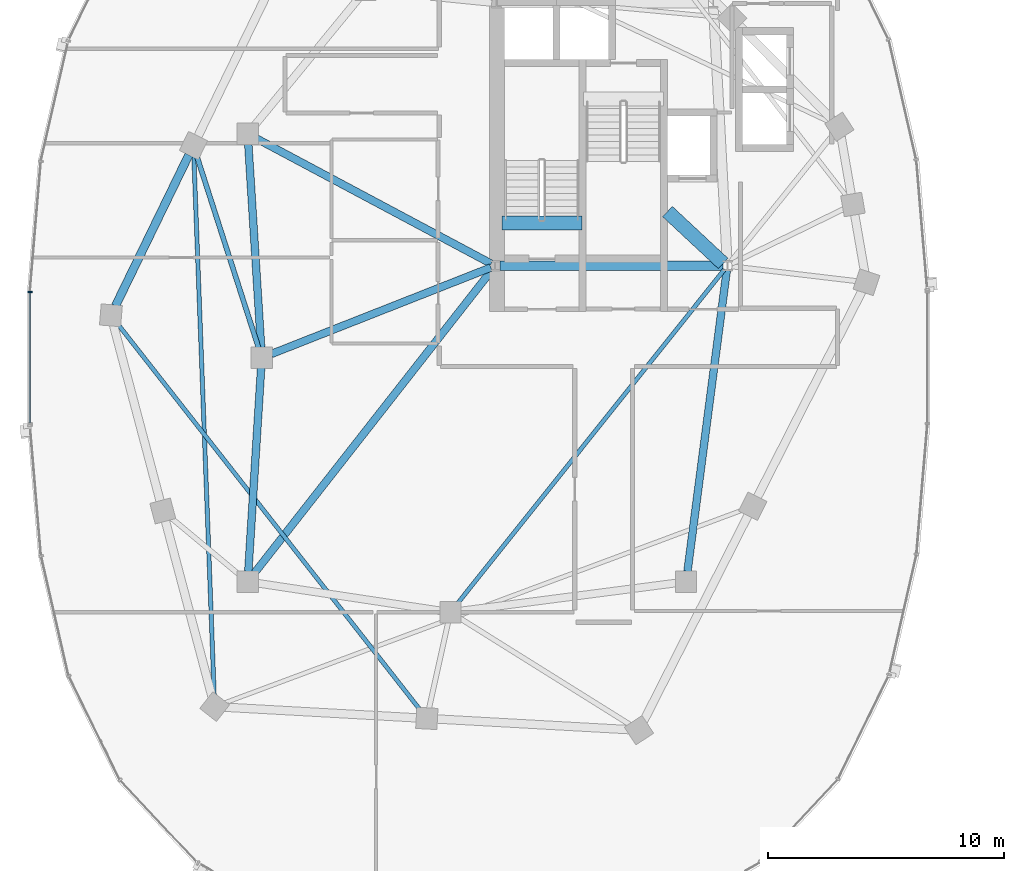
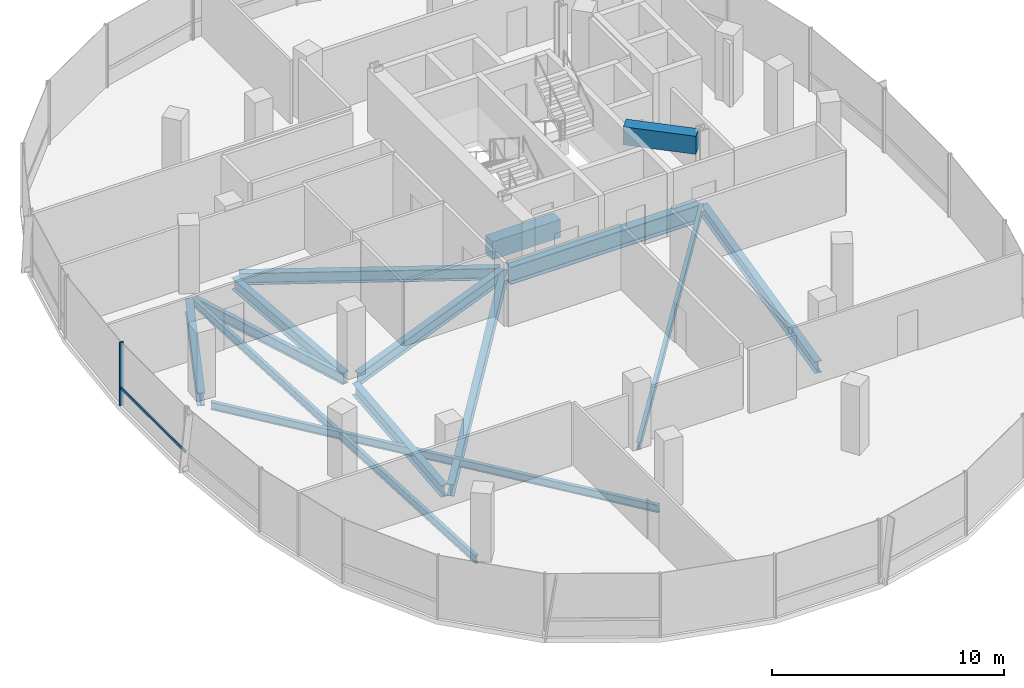
# One storey, part 4 of 25: 14 beams, 2 members, 1 element without a shape of its own.
"""IFC4 building model written with IfcOpenShell, lengths in metres."""

from ifc_helpers import new_model, si_unit, direction, frame, origin, origin_2d, place, context, subcontext, project, spatial, rectangle, i_section, extrude, material, material_profile, profile_set, type_object, element, aggregate, save


model = new_model("IFC4")

# Units and contexts
model_context = context("Model", 3, precision=1e-05, world=origin(), true_north=direction((0.0, 1.0)))
body_context = subcontext(model_context, "Body", "Model", "MODEL_VIEW")
ifc_project = project(units=[si_unit("LENGTHUNIT", "METRE"), si_unit("AREAUNIT", "SQUARE_METRE"), si_unit("VOLUMEUNIT", "CUBIC_METRE"), si_unit("PLANEANGLEUNIT", "RADIAN"), si_unit("MASSUNIT", "GRAM", prefix="KILO"), si_unit("THERMODYNAMICTEMPERATUREUNIT", "KELVIN"), si_unit("POWERUNIT", "WATT")], contexts=[model_context])

# Site, building, storey
site_placement = place(None, origin())
site = spatial("IfcSite", under=ifc_project, at=site_placement, CompositionType="ELEMENT")
building_placement = place(site_placement, origin())
building = spatial("IfcBuilding", under=site, at=building_placement, Name="Cundina Bronze Exchange", CompositionType="ELEMENT")
storey_placement = place(building_placement, frame((0.0, 0.0, 213.39990234375)))
storey = spatial("IfcBuildingStorey", under=building, at=storey_placement, Name="L56", CompositionType="ELEMENT", Elevation=213.39990234375)

# Beams
ifc_material_1 = material(Name="Concrete C60/75", Category="concrete")
ifc_material_profile_1 = material_profile(ifc_material_1, rectangle(XDim=0.60009765625, YDim=0.949951171875, at=origin_2d()), Name="RC600X950", Category="concrete")
ifc_profile_set_1 = profile_set([ifc_material_profile_1], Name="Concrete C60/75")
beam_type_1 = type_object("IfcBeamType", Name="BM-COUP-RC950", PredefinedType="LINTEL", material=ifc_profile_set_1)
beam_1_placement = place(storey_placement, frame((-31.02001953125, 5.719970703125, -0.474853515625), z_axis=(1.0, 0.0, 0.0), x_axis=(0.0, 1.0, 0.0)))
element("IfcBeam", 1, at=beam_1_placement, inside=storey, type_object=beam_type_1, Name="L56 Stair W1 Landing Header Beam", PredefinedType="LINTEL", context=body_context, shape_type="SweptSolid", body=[
    extrude(rectangle(XDim=0.60009765625, YDim=0.949951171875, at=origin_2d()), origin(), (0.0, 0.0, 1.0), 3.39990234375),
])
beam_2_placement = place(storey_placement, frame((-23.989990234375, 6.199951171875, 2.864990234375), z_axis=(0.731490439815, -0.681851696822, 0.0), x_axis=(0.681851696822, 0.731490439815, 0.0)))
element("IfcBeam", 2, at=beam_2_placement, inside=storey, type_object=beam_type_1, Name="L56 W Core Shear Coupling Lintel Beam", PredefinedType="LINTEL", context=body_context, shape_type="SweptSolid", body=[
    extrude(rectangle(XDim=0.60009765625, YDim=0.949951171875, at=origin_2d()), origin(), (0.0, 0.0, 1.0), 3.226318359375),
])
ifc_material_2 = material(Name="Steel ASTM A992 Grade 50", Category="steel")
ifc_material_profile_2 = material_profile(ifc_material_2, i_section(OverallWidth=0.2119140625, OverallDepth=0.5439453125, WebThickness=0.01318359375, FlangeThickness=0.021240234375, FilletRadius=0.013916015625, at=origin_2d()), Name="W21X83", Category="steel")
ifc_profile_set_2 = profile_set([ifc_material_profile_2], Name="Steel ASTM A992 Grade 50")
beam_type_2 = type_object("IfcBeamType", Name="BM-FLR-W21A", PredefinedType="BEAM", material=ifc_profile_set_2)
beam_3_placement = place(storey_placement, frame((-41.334228515625, 0.4169921875, -0.531982421875), z_axis=(-0.306727566953, 0.951797352208, 0.0), x_axis=(-0.951797352208, -0.306727566953, 0.0)))
element("IfcBeam", 3, at=beam_3_placement, inside=storey, type_object=beam_type_2, Name="L56 Leg W Radial Floor Beam 07", PredefinedType="BEAM", context=body_context, shape_type="SweptSolid", body=[
    extrude(i_section(OverallWidth=0.2119140625, OverallDepth=0.5439453125, WebThickness=0.01318359375, FlangeThickness=0.021240234375, FilletRadius=0.013916015625, at=origin_2d()), origin(), (0.0, 0.0, 1.0), 8.57958984375),
])
ifc_material_profile_3 = material_profile(ifc_material_2, i_section(OverallWidth=0.178955078125, OverallDepth=0.409912109375, WebThickness=0.0087890625, FlangeThickness=0.014404296875, FilletRadius=0.010986328125, at=origin_2d()), Name="W16X45", Category="steel")
ifc_profile_set_3 = profile_set([ifc_material_profile_3], Name="Steel ASTM A992 Grade 50")
beam_type_3 = type_object("IfcBeamType", Name="BM-JST-W16", PredefinedType="JOIST", material=ifc_profile_set_3)
beam_4_placement = place(storey_placement, frame((-21.572509765625, 3.746826171875, -0.46484375), z_axis=(-0.624364266872, -0.781133319129, 0.0), x_axis=(0.781133319129, -0.624364266872, 0.0)))
element("IfcBeam", 4, at=beam_4_placement, inside=storey, type_object=beam_type_3, Name="L56 W Interior Core-to-Ring Joist 2", PredefinedType="JOIST", context=body_context, shape_type="SweptSolid", body=[
    extrude(i_section(OverallWidth=0.178955078125, OverallDepth=0.409912109375, WebThickness=0.0087890625, FlangeThickness=0.014404296875, FilletRadius=0.010986328125, at=origin_2d()), origin(), (0.0, 0.0, 1.0), 18.184814453125),
])
beam_5_placement = place(storey_placement, frame((-44.08349609375, 8.562255859375, -0.46484375), z_axis=(0.037790216102, -0.999285694667, 0.0), x_axis=(0.999285694667, 0.037790216102, 0.0)))
element("IfcBeam", 5, at=beam_5_placement, inside=storey, type_object=beam_type_3, Name="L56 Leg W Lobe Floor Joist 07-10", PredefinedType="JOIST", context=body_context, shape_type="SweptSolid", body=[
    extrude(i_section(OverallWidth=0.178955078125, OverallDepth=0.409912109375, WebThickness=0.0087890625, FlangeThickness=0.014404296875, FilletRadius=0.010986328125, at=origin_2d()), origin(), (0.0, 0.0, 1.0), 22.94091796875),
])
beam_6_placement = place(storey_placement, frame((-47.329833984375, 1.455078125, -0.46484375), z_axis=(0.616810493522, -0.787111691618, 0.0), x_axis=(0.787111691618, 0.616810493522, 0.0)))
element("IfcBeam", 6, at=beam_6_placement, inside=storey, type_object=beam_type_3, Name="L56 Leg W Lobe Floor Joist 08-11", PredefinedType="JOIST", context=body_context, shape_type="SweptSolid", body=[
    extrude(i_section(OverallWidth=0.178955078125, OverallDepth=0.409912109375, WebThickness=0.0087890625, FlangeThickness=0.014404296875, FilletRadius=0.010986328125, at=origin_2d()), origin(), (0.0, 0.0, 1.0), 20.8486328125),
])
ifc_material_profile_4 = material_profile(ifc_material_2, i_section(OverallWidth=0.324951171875, OverallDepth=0.615966796875, WebThickness=0.013916015625, FlangeThickness=0.021484375, FilletRadius=0.01611328125, at=origin_2d()), Name="W24X117", Category="steel")
ifc_profile_set_4 = profile_set([ifc_material_profile_4], Name="Steel ASTM A992 Grade 50")
beam_type_4 = type_object("IfcBeamType", Name="BM-RING-W24", PredefinedType="USERDEFINED", material=ifc_profile_set_4)
for number, where, z_axis, x_axis, name in (
    (7, (-41.7724609375, 9.06298828125, -0.56787109375), (0.063046519736, -0.998010589297, 0.0), (0.998010589297, 0.063046519736, 0.0), "L56 W Inner Structural Ring Girder 03"),
    (8, (-41.2275390625, -0.43701171875, -0.56787109375), (-0.063046519736, -0.998010589297, 0.0), (0.998010589297, -0.063046519736, 0.0), "L56 W Inner Structural Ring Girder 04"),
):
    element("IfcBeam", number, at=place(storey_placement, frame(where, z_axis=z_axis, x_axis=x_axis)), inside=storey, type_object=beam_type_4, Name=name, ObjectType="GIRDER", PredefinedType="USERDEFINED", context=body_context, shape_type="SweptSolid", body=[
        extrude(i_section(OverallWidth=0.324951171875, OverallDepth=0.615966796875, WebThickness=0.013916015625, FlangeThickness=0.021484375, FilletRadius=0.01611328125, at=origin_2d()), origin(), (0.0, 0.0, 1.0), 8.64306640625),
    ])
beam_7_placement = place(storey_placement, frame((-23.143310546875, -9.065673828125, -0.56787109375), z_axis=(0.129501251979, 0.991579258424, 0.0), x_axis=(-0.991579258424, 0.129501251979, 0.0)))
element("IfcBeam", 9, at=beam_7_placement, inside=storey, type_object=beam_type_4, Name="L56 W Inner Structural Ring Girder 07", ObjectType="GIRDER", PredefinedType="USERDEFINED", context=body_context, shape_type="SweptSolid", body=[
    extrude(i_section(OverallWidth=0.324951171875, OverallDepth=0.615966796875, WebThickness=0.013916015625, FlangeThickness=0.021484375, FilletRadius=0.01611328125, at=origin_2d()), origin(), (0.0, 0.0, 1.0), 12.8798828125),
])
beam_8_placement = place(storey_placement, frame((-31.482421875, 3.828125, -0.56787109375), z_axis=(-0.930404106569, -0.366535398673, 0.0), x_axis=(0.366535398673, -0.930404106569, 0.0)))
element("IfcBeam", 10, at=beam_8_placement, inside=storey, type_object=beam_type_4, Name="L56 W Core-to-Waist Tie Beam 1", ObjectType="GIRDER", PredefinedType="USERDEFINED", context=body_context, shape_type="SweptSolid", body=[
    extrude(i_section(OverallWidth=0.324951171875, OverallDepth=0.615966796875, WebThickness=0.013916015625, FlangeThickness=0.021484375, FilletRadius=0.01611328125, at=origin_2d()), origin(), (0.0, 0.0, 1.0), 10.00634765625),
])
beam_9_placement = place(storey_placement, frame((-31.472900390625, 3.9921875, -0.56787109375), z_axis=(-0.882350541683, 0.470592734317, 0.0), x_axis=(-0.470592734317, -0.882350541683, 0.0)))
element("IfcBeam", 11, at=beam_9_placement, inside=storey, type_object=beam_type_4, Name="L56 W Core-to-Waist Tie Beam 2", ObjectType="GIRDER", PredefinedType="USERDEFINED", context=body_context, shape_type="SweptSolid", body=[
    extrude(i_section(OverallWidth=0.324951171875, OverallDepth=0.615966796875, WebThickness=0.013916015625, FlangeThickness=0.021484375, FilletRadius=0.01611328125, at=origin_2d()), origin(), (0.0, 0.0, 1.0), 11.26611328125),
])
beam_10_placement = place(storey_placement, frame((-31.4208984375, 3.74560546875, -0.56787109375), z_axis=(-0.616782900053, -0.787133314123, 0.0), x_axis=(0.787133314123, -0.616782900053, 0.0)))
element("IfcBeam", 12, at=beam_10_placement, inside=storey, type_object=beam_type_4, Name="L56 W Core-to-Waist Tie Beam 3", ObjectType="GIRDER", PredefinedType="USERDEFINED", context=body_context, shape_type="SweptSolid", body=[
    extrude(i_section(OverallWidth=0.324951171875, OverallDepth=0.615966796875, WebThickness=0.013916015625, FlangeThickness=0.021484375, FilletRadius=0.01611328125, at=origin_2d()), origin(), (0.0, 0.0, 1.0), 16.3896484375),
])
ifc_material_profile_5 = material_profile(ifc_material_2, i_section(OverallWidth=0.35498046875, OverallDepth=0.695068359375, WebThickness=0.015380859375, FlangeThickness=0.02490234375, FilletRadius=0.01806640625, at=origin_2d()), Name="W27X146", Category="steel")
ifc_profile_set_5 = profile_set([ifc_material_profile_5], Name="Steel ASTM A992 Grade 50")
beam_type_5 = type_object("IfcBeamType", Name="BM-RING-W27", PredefinedType="USERDEFINED", material=ifc_profile_set_5)
beam_11_placement = place(storey_placement, frame((-44.29150390625, 8.606201171875, -0.607421875), z_axis=(-0.437173087764, -0.89937739094, 0.0), x_axis=(0.89937739094, -0.437173087764, 0.0)))
element("IfcBeam", 13, at=beam_11_placement, inside=storey, type_object=beam_type_5, Name="L56 W Perimeter Ring Girder 07", ObjectType="GIRDER", PredefinedType="USERDEFINED", context=body_context, shape_type="SweptSolid", body=[
    extrude(i_section(OverallWidth=0.35498046875, OverallDepth=0.695068359375, WebThickness=0.015380859375, FlangeThickness=0.02490234375, FilletRadius=0.01806640625, at=origin_2d()), origin(), (0.0, 0.0, 1.0), 7.1298828125),
])
ifc_material_profile_6 = material_profile(ifc_material_2, i_section(OverallWidth=0.41796875, OverallDepth=0.927001953125, WebThickness=0.019287109375, FlangeThickness=0.031982421875, FilletRadius=0.02392578125, at=origin_2d()), Name="W36X231", Category="steel")
ifc_profile_set_6 = profile_set([ifc_material_profile_6], Name="Steel ASTM A992 Grade 50")
beam_type_6 = type_object("IfcBeamType", Name="BM-WRN-W36B", PredefinedType="USERDEFINED", material=ifc_profile_set_6)
beam_12_placement = place(storey_placement, frame((-31.10400390625, 3.89990234375, -0.723388671875), z_axis=(1.0, 0.0, 0.0), x_axis=(0.0, 1.0, 0.0)))
element("IfcBeam", 14, at=beam_12_placement, inside=storey, type_object=beam_type_6, Name="L56 W Core Perimeter Tie Girder 1", ObjectType="GIRDER", PredefinedType="USERDEFINED", context=body_context, shape_type="SweptSolid", body=[
    extrude(i_section(OverallWidth=0.41796875, OverallDepth=0.927001953125, WebThickness=0.019287109375, FlangeThickness=0.031982421875, FilletRadius=0.02392578125, at=origin_2d()), origin(), (0.0, 0.0, 1.0), 9.4580078125),
])

# Curtain wall, members
ifc_material_3 = material(Name="Anodised Bronze Aluminium 6063-T6", Category="aluminium")
curtain_wall_type = type_object("IfcCurtainWallType", Name="CWS-UPP-OFF", PredefinedType="NOTDEFINED", material=ifc_material_3)
curtain_wall_placement = place(storey_placement, origin())
curtain_wall = element("IfcCurtainWall", 15, at=curtain_wall_placement, inside=storey, type_object=curtain_wall_type, Name="L56 CW-05 Curtain Wall Run CWR-L56-W2", PredefinedType="NOTDEFINED")
ifc_material_profile_7 = material_profile(ifc_material_3, rectangle(XDim=0.070068359375, YDim=0.18994140625, at=origin_2d()), Name="AL70X190", Category="aluminium")
ifc_profile_set_7 = profile_set([ifc_material_profile_7], Name="Anodised Bronze Aluminium 6063-T6")
member_type_1 = type_object("IfcMemberType", Name="CWM-MUL-190", PredefinedType="MULLION", material=ifc_profile_set_7)
member_1_placement = place(storey_placement, frame((-51.033935546875, 2.794921875, 0.0), z_axis=(0.0, 0.0, 1.0), x_axis=(0.0, -1.0, 0.0)))
member_1 = element("IfcMember", 16, at=member_1_placement, type_object=member_type_1, Name="CW-05 Mullion 7", PredefinedType="MULLION", context=body_context, shape_type="SweptSolid", body=[
    extrude(rectangle(XDim=0.070068359375, YDim=0.18994140625, at=origin_2d()), origin(), (0.0, 0.0, 1.0), 3.340087890625),
])
ifc_material_profile_8 = material_profile(ifc_material_3, rectangle(XDim=0.06494140625, YDim=0.14990234375, at=origin_2d()), Name="AL65X150", Category="aluminium")
ifc_profile_set_8 = profile_set([ifc_material_profile_8], Name="Anodised Bronze Aluminium 6063-T6")
member_type_2 = type_object("IfcMemberType", Name="CWM-TRN-150", PredefinedType="USERDEFINED", material=ifc_profile_set_8)
member_2_placement = place(storey_placement, frame((-51.033935546875, 2.756591796875, 0.920166015625), z_axis=(0.0, -1.0, 0.0), x_axis=(1.0, 0.0, 0.0)))
member_2 = element("IfcMember", 17, at=member_2_placement, type_object=member_type_2, Name="CW-05 Spandrel Transom 7", ObjectType="TRANSOM", PredefinedType="USERDEFINED", context=body_context, shape_type="SweptSolid", body=[
    extrude(rectangle(XDim=0.06494140625, YDim=0.14990234375, at=origin_2d()), origin(), (0.0, 0.0, 1.0), 5.51318359375),
])
aggregate(curtain_wall, [member_1, member_2])

save(model, "model.ifc")
